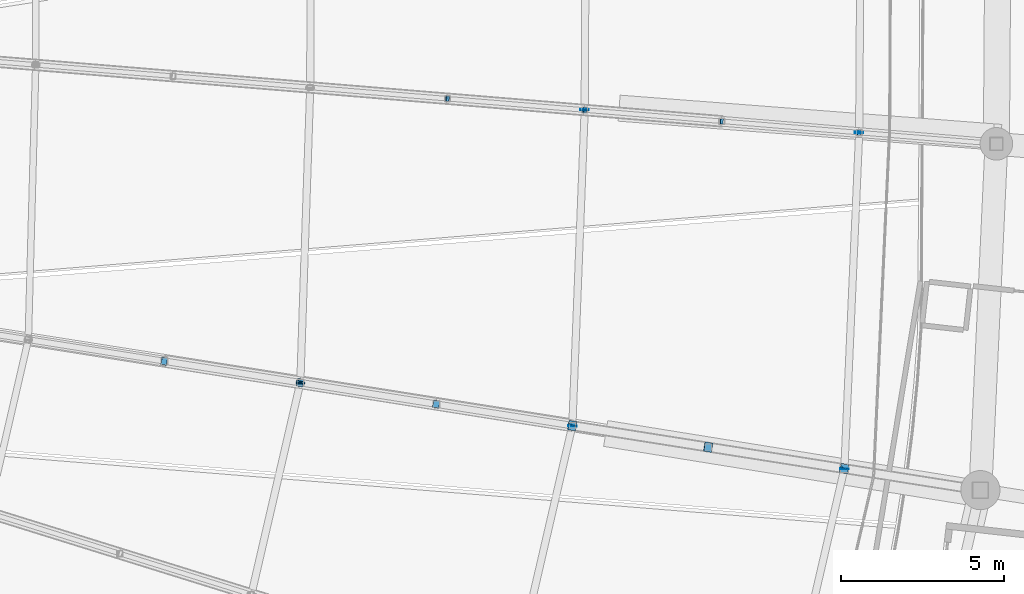
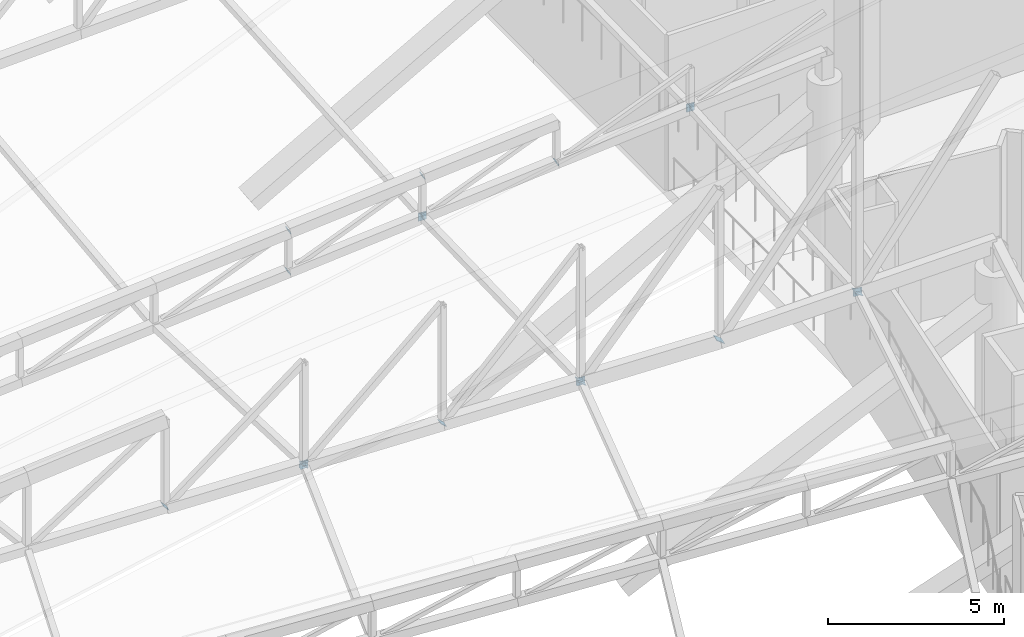
# One storey, part 301 of 344: 22 discrete accessories.
"""IFC4 building model written with IfcOpenShell, lengths in metres."""

from ifc_helpers import new_model, si_unit, direction, frame, origin, origin_2d, place, context, subcontext, project, spatial, rectangle, extrude, material, material_profile, profile_set, type_object, element, save


model = new_model("IFC4")

# Units and contexts
model_context = context("Model", 3, precision=1e-05, world=origin(), true_north=direction((0.0, 1.0)))
body_context = subcontext(model_context, "Body", "Model", "MODEL_VIEW")
ifc_project = project(units=[si_unit("LENGTHUNIT", "METRE"), si_unit("AREAUNIT", "SQUARE_METRE"), si_unit("VOLUMEUNIT", "CUBIC_METRE"), si_unit("PLANEANGLEUNIT", "RADIAN"), si_unit("MASSUNIT", "GRAM", prefix="KILO")], contexts=[model_context])

# Site, building, storey
site_placement = place(None, origin())
site = spatial("IfcSite", under=ifc_project, at=site_placement, CompositionType="ELEMENT")
building_placement = place(site_placement, origin())
building = spatial("IfcBuilding", under=site, at=building_placement, Name="Meseta Stadium", CompositionType="ELEMENT")
storey_placement = place(building_placement, frame((0.0, 0.0, 24.0)))
storey = spatial("IfcBuildingStorey", under=building, at=storey_placement, Name="L04", CompositionType="ELEMENT", Elevation=24.0)

# Discrete accessories
ifc_material_1 = material(Name="Steel S355", Category="steel")
ifc_material_profile_1 = material_profile(ifc_material_1, rectangle(XDim=0.179931640625, YDim=0.179931640625, at=origin_2d()), Name="PL 180x180")
ifc_profile_set_1 = profile_set([ifc_material_profile_1], Name="Steel S355")
discrete_accessory_type_1 = type_object("IfcDiscreteAccessoryType", Name="End plate 180x180x20", PredefinedType="ANCHORPLATE", material=ifc_profile_set_1)
discrete_accessory_1_placement = place(storey_placement, frame((68.022216796875, -41.564453125, 5.672119140625), z_axis=(0.899249391933, -0.073910908926, 0.431146968735), x_axis=(0.081915556729, 0.996639273542, 0.0)))
element("IfcDiscreteAccessory", 1, at=discrete_accessory_1_placement, inside=storey, type_object=discrete_accessory_type_1, Name="End plate of ROOF TRUSS RT-01 diagonal", PredefinedType="ANCHORPLATE", context=body_context, shape_type="SweptSolid", body=[
    extrude(rectangle(XDim=0.179931640625, YDim=0.179931640625, at=origin_2d()), origin(), (0.0, 0.0, 1.0), 0.019775390625),
])
discrete_accessory_2_placement = place(storey_placement, frame((68.004150390625, -41.56298828125, 4.25732421875), z_axis=(0.896854406293, -0.072717924835, 0.436307549007), x_axis=(0.080815868766, 0.996729048115, 0.0)))
element("IfcDiscreteAccessory", 2, at=discrete_accessory_2_placement, inside=storey, type_object=discrete_accessory_type_1, Name="End plate of ROOF TRUSS RT-01 diagonal", PredefinedType="ANCHORPLATE", context=body_context, shape_type="SweptSolid", body=[
    extrude(rectangle(XDim=0.179931640625, YDim=0.179931640625, at=origin_2d()), origin(), (0.0, 0.0, 1.0), 0.020263671875),
])
discrete_accessory_3_placement = place(storey_placement, frame((72.230224609375, -41.910400390625, 6.305419921875), z_axis=(0.894443975619, -0.073515943202, 0.44109565921), x_axis=(0.081915556729, 0.996639273542, 0.0)))
element("IfcDiscreteAccessory", 3, at=discrete_accessory_3_placement, inside=storey, type_object=discrete_accessory_type_1, Name="End plate of ROOF TRUSS RT-01 diagonal", PredefinedType="ANCHORPLATE", context=body_context, shape_type="SweptSolid", body=[
    extrude(rectangle(XDim=0.179931640625, YDim=0.179931640625, at=origin_2d()), origin(), (0.0, 0.0, 1.0), 0.02001953125),
])
discrete_accessory_4_placement = place(storey_placement, frame((72.212158203125, -41.908935546875, 4.890869140625), z_axis=(0.896854406293, -0.072717924835, 0.436307549007), x_axis=(0.080815868766, 0.996729048115, 0.0)))
element("IfcDiscreteAccessory", 4, at=discrete_accessory_4_placement, inside=storey, type_object=discrete_accessory_type_1, Name="End plate of ROOF TRUSS RT-01 diagonal", PredefinedType="ANCHORPLATE", context=body_context, shape_type="SweptSolid", body=[
    extrude(rectangle(XDim=0.179931640625, YDim=0.179931640625, at=origin_2d()), origin(), (0.0, 0.0, 1.0), 0.020263671875),
])
discrete_accessory_5_placement = place(storey_placement, frame((76.420166015625, -42.2548828125, 5.5244140625), z_axis=(0.899249391933, -0.073910908926, 0.431146968735), x_axis=(0.081915556729, 0.996639273542, 0.0)))
element("IfcDiscreteAccessory", 5, at=discrete_accessory_5_placement, inside=storey, type_object=discrete_accessory_type_1, Name="End plate of ROOF TRUSS RT-01 diagonal", PredefinedType="ANCHORPLATE", context=body_context, shape_type="SweptSolid", body=[
    extrude(rectangle(XDim=0.179931640625, YDim=0.179931640625, at=origin_2d()), origin(), (0.0, 0.0, 1.0), 0.019775390625),
])
discrete_accessory_6_placement = place(storey_placement, frame((80.628173828125, -42.60107421875, 6.15771484375), z_axis=(0.894443975619, -0.073515943202, 0.44109565921), x_axis=(0.081915556729, 0.996639273542, 0.0)))
element("IfcDiscreteAccessory", 6, at=discrete_accessory_6_placement, inside=storey, type_object=discrete_accessory_type_1, Name="End plate of ROOF TRUSS RT-01 diagonal", PredefinedType="ANCHORPLATE", context=body_context, shape_type="SweptSolid", body=[
    extrude(rectangle(XDim=0.179931640625, YDim=0.179931640625, at=origin_2d()), origin(), (0.0, 0.0, 1.0), 0.02001953125),
])
ifc_material_2 = material(Name="Steel S355", Category="steel")
ifc_material_profile_2 = material_profile(ifc_material_2, rectangle(XDim=0.239990234375, YDim=0.239990234375, at=origin_2d()), Name="PL 240x240")
ifc_profile_set_2 = profile_set([ifc_material_profile_2], Name="Steel S355")
discrete_accessory_type_2 = type_object("IfcDiscreteAccessoryType", Name="End plate 240x240x20", PredefinedType="ANCHORPLATE", material=ifc_profile_set_2)
discrete_accessory_7_placement = place(storey_placement, frame((59.326416015625, -49.608642578125, 4.0), z_axis=(0.714960499205, -0.110942146428, 0.690306688887), x_axis=(0.153337329832, 0.988173903359, 0.0)))
element("IfcDiscreteAccessory", 7, at=discrete_accessory_7_placement, inside=storey, type_object=discrete_accessory_type_2, Name="End plate of ROOF TRUSS RT-00 diagonal", PredefinedType="ANCHORPLATE", context=body_context, shape_type="SweptSolid", body=[
    extrude(rectangle(XDim=0.239990234375, YDim=0.239990234375, at=origin_2d()), origin(), (0.0, 0.0, 1.0), 0.019775390625),
])
discrete_accessory_8_placement = place(storey_placement, frame((63.49755859375, -50.267822265625, 4.388427734375), z_axis=(0.678252463745, -0.109004860245, 0.726699068299), x_axis=(0.158678095384, 0.987330371277, 0.0)))
element("IfcDiscreteAccessory", 8, at=discrete_accessory_8_placement, inside=storey, type_object=discrete_accessory_type_2, Name="End plate of ROOF TRUSS RT-00 diagonal", PredefinedType="ANCHORPLATE", context=body_context, shape_type="SweptSolid", body=[
    extrude(rectangle(XDim=0.239990234375, YDim=0.239990234375, at=origin_2d()), origin(), (0.0, 0.0, 1.0), 0.020263671875),
])
discrete_accessory_9_placement = place(storey_placement, frame((67.6689453125, -50.927001953125, 4.777099609375), z_axis=(0.633534208227, -0.097466801266, 0.767551059967), x_axis=(0.152057184254, 0.988371697651, 0.0)))
element("IfcDiscreteAccessory", 9, at=discrete_accessory_9_placement, inside=storey, type_object=discrete_accessory_type_2, Name="End plate of ROOF TRUSS RT-00 diagonal", PredefinedType="ANCHORPLATE", context=body_context, shape_type="SweptSolid", body=[
    extrude(rectangle(XDim=0.239990234375, YDim=0.239990234375, at=origin_2d()), origin(), (0.0, 0.0, 1.0), 0.02001953125),
])
ifc_material_3 = material(Name="Steel S355", Category="steel")
ifc_material_profile_3 = material_profile(ifc_material_3, rectangle(XDim=0.260009765625, YDim=0.260009765625, at=origin_2d()), Name="PL 260x260")
ifc_profile_set_3 = profile_set([ifc_material_profile_3], Name="Steel S355")
discrete_accessory_type_3 = type_object("IfcDiscreteAccessoryType", Name="End plate 260x260x20", PredefinedType="ANCHORPLATE", material=ifc_profile_set_3)
discrete_accessory_10_placement = place(storey_placement, frame((63.510498046875, -50.289794921875, 4.40478515625), z_axis=(0.036874408638, 0.995609033221, -0.086040286822), x_axis=(-0.999314833767, 0.03701166051, 0.0)))
element("IfcDiscreteAccessory", 10, at=discrete_accessory_10_placement, inside=storey, type_object=discrete_accessory_type_3, Name="End plate of ROOF TRUSS STRUT RT-00/01", PredefinedType="ANCHORPLATE", context=body_context, shape_type="SweptSolid", body=[
    extrude(rectangle(XDim=0.260009765625, YDim=0.260009765625, at=origin_2d()), origin(), (0.0, 0.0, 1.0), 0.019775390625),
])
for number, where, z_axis, x_axis, name in (
    (11, (71.851318359375, -51.608154296875, 5.182373046875), (0.036550050475, 0.999034712973, -0.024366700316), (-0.999331426586, 0.036560905851, 0.0), "End plate of ROOF TRUSS STRUT RT-00/01"),
    (12, (72.230224609375, -41.910400390625, 4.899658203125), (0.036536494842, 0.998664192354, -0.036536494842), (-0.999331426586, 0.036560905851, 0.0), "End plate of ROOF TRUSS STRUT RT-00/01"),
    (13, (80.19189453125, -52.92626953125, 6.160888671875), (0.048722553713, 0.998812351125, 0.0), (-0.998812351125, 0.048722553713, 0.0), "End plate of ROOF TRUSS STRUT RT-00/01"),
    (14, (80.64599609375, -42.6025390625, 6.16650390625), (0.048722553713, 0.998812351125, 0.0), (-0.998812351125, 0.048722553713, 0.0), "End plate of ROOF TRUSS STRUT RT-00/01"),
    (15, (72.22998046875, -41.930419921875, 4.8984375), (0.012171612389, 0.998072215898, 0.060858061945), (-0.999925647793, 0.012194215217, 0.0), "End plate of ROOF TRUSS STRUT RT-01/02"),
    (16, (80.64599609375, -42.62255859375, 6.166259765625), (0.0, 0.999925647793, 0.012194215217), (-1.0, 0.0, 0.0), "End plate of ROOF TRUSS STRUT RT-01/02"),
    (17, (63.51123046875, -50.27001953125, 4.403076171875), (0.2071630829, 0.950512968599, 0.2315352103), (-0.977063170927, 0.212949665458, 0.0), "End plate of ROOF TRUSS STRUT RT-55/00"),
    (18, (71.85205078125, -51.588134765625, 5.181884765625), (0.220796577189, 0.969051644329, 0.110398288594), (-0.975011472973, 0.222154512829, 0.0), "End plate of ROOF TRUSS STRUT RT-55/00"),
    (19, (80.19287109375, -52.90625, 6.160888671875), (0.230799497075, 0.971787356105, 0.048589367805), (-0.97293655072, 0.231072430796, 0.0), "End plate of ROOF TRUSS STRUT RT-55/00"),
):
    element("IfcDiscreteAccessory", number, at=place(storey_placement, frame(where, z_axis=z_axis, x_axis=x_axis)), inside=storey, type_object=discrete_accessory_type_3, Name=name, PredefinedType="ANCHORPLATE", context=body_context, shape_type="SweptSolid", body=[
        extrude(rectangle(XDim=0.260009765625, YDim=0.260009765625, at=origin_2d()), origin(), (0.0, 0.0, 1.0), 0.02001953125),
    ])
ifc_material_4 = material(Name="Steel S355", Category="steel")
ifc_material_profile_4 = material_profile(ifc_material_4, rectangle(XDim=0.2900390625, YDim=0.2900390625, at=origin_2d()), Name="PL 290x290")
ifc_profile_set_4 = profile_set([ifc_material_profile_4], Name="Steel S355")
discrete_accessory_type_4 = type_object("IfcDiscreteAccessoryType", Name="End plate 290x290x20", PredefinedType="ANCHORPLATE", material=ifc_profile_set_4)
discrete_accessory_11_placement = place(storey_placement, frame((71.840087890625, -51.586181640625, 5.165771484375), z_axis=(0.593296867385, -0.096864794675, 0.799134556069), x_axis=(0.161131898902, 0.986932880776, 0.0)))
element("IfcDiscreteAccessory", 20, at=discrete_accessory_11_placement, inside=storey, type_object=discrete_accessory_type_4, Name="End plate of ROOF TRUSS RT-00 diagonal", PredefinedType="ANCHORPLATE", context=body_context, shape_type="SweptSolid", body=[
    extrude(rectangle(XDim=0.2900390625, YDim=0.2900390625, at=origin_2d()), origin(), (0.0, 0.0, 1.0), 0.020263671875),
])
for number, where, z_axis, x_axis, name in (
    (21, (76.01123046875, -52.245361328125, 5.5546875), (0.557667941714, -0.096985728994, 0.824378696447), (0.171341174751, 0.98521175482, 0.0), "End plate of ROOF TRUSS RT-00 diagonal"),
    (22, (80.18212890625, -52.904541015625, 6.14404296875), (0.535709697438, -0.085226542774, 0.840090207346), (0.157115048735, 0.987580306335, 0.0), "End plate of ROOF TRUSS RT-00 diagonal"),
):
    element("IfcDiscreteAccessory", number, at=place(storey_placement, frame(where, z_axis=z_axis, x_axis=x_axis)), inside=storey, type_object=discrete_accessory_type_4, Name=name, PredefinedType="ANCHORPLATE", context=body_context, shape_type="SweptSolid", body=[
        extrude(rectangle(XDim=0.2900390625, YDim=0.2900390625, at=origin_2d()), origin(), (0.0, 0.0, 1.0), 0.02001953125),
    ])

save(model, "model.ifc")
